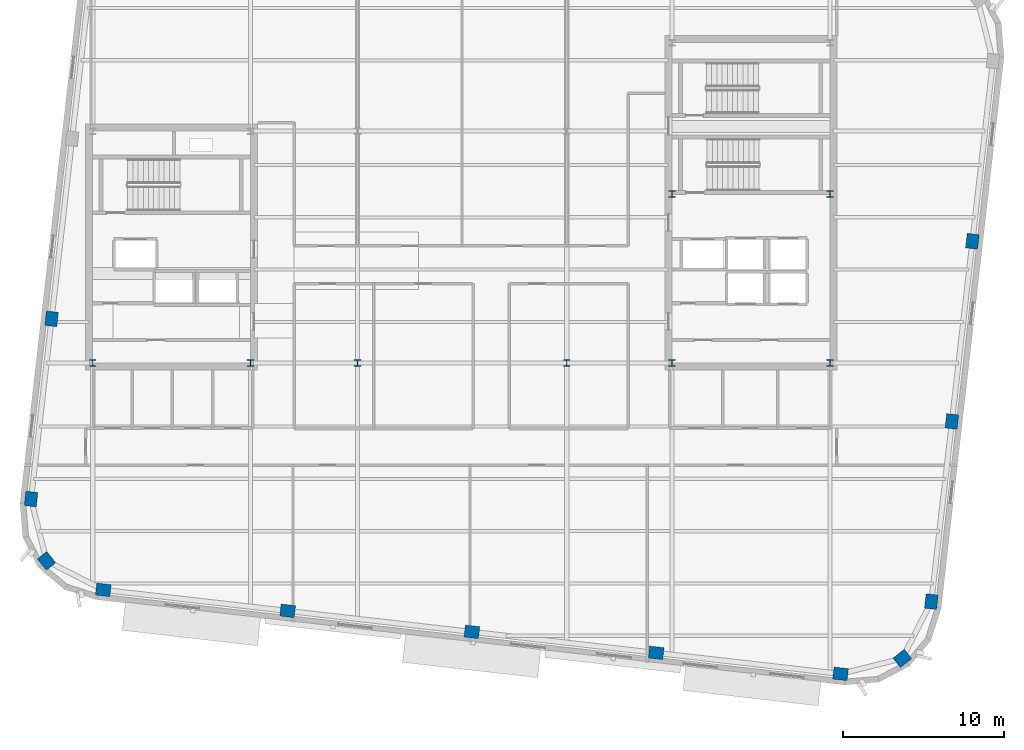
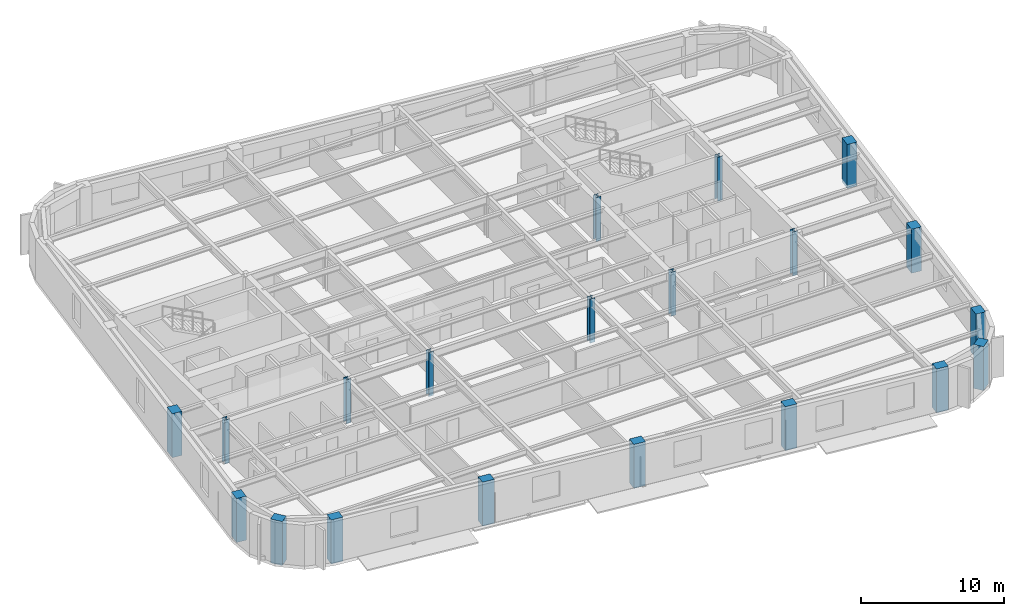
# One storey, part 1 of 14: 20 columns.
"""IFC4 building model written with IfcOpenShell, lengths in metres."""

from ifc_helpers import new_model, si_unit, direction, frame, origin, origin_2d, place, context, subcontext, project, spatial, rectangle, i_section, extrude, material, material_profile, profile_set, type_object, element, save


model = new_model("IFC4")

# Units and contexts
model_context = context("Model", 3, precision=1e-05, world=origin(), true_north=direction((0.0, 1.0)))
body_context = subcontext(model_context, "Body", "Model", "MODEL_VIEW")
ifc_project = project(units=[si_unit("LENGTHUNIT", "METRE"), si_unit("AREAUNIT", "SQUARE_METRE"), si_unit("VOLUMEUNIT", "CUBIC_METRE"), si_unit("PLANEANGLEUNIT", "RADIAN"), si_unit("MASSUNIT", "GRAM", prefix="KILO")], contexts=[model_context])

# Site, building, storey
site_placement = place(None, origin())
site = spatial("IfcSite", under=ifc_project, at=site_placement, CompositionType="ELEMENT")
building_placement = place(site_placement, origin())
building = spatial("IfcBuilding", under=site, at=building_placement, Name="Kolvaren Arena Tower", CompositionType="ELEMENT")
storey_placement = place(building_placement, frame((0.0, 0.0, 224.699951171875)))
storey = spatial("IfcBuildingStorey", under=building, at=storey_placement, Name="L54", CompositionType="ELEMENT", Elevation=224.699951171875)

# Columns
ifc_material_1 = material(Name="Precast concrete C55/67", Category="concrete")
ifc_material_profile_1 = material_profile(ifc_material_1, rectangle(XDim=0.89990234375, YDim=0.75, at=origin_2d()), Name="RC-900x750")
ifc_profile_set_1 = profile_set([ifc_material_profile_1], Name="Precast concrete C55/67")
column_type_1 = type_object("IfcColumnType", Name="EXCOL-Z4", PredefinedType="COLUMN", material=ifc_profile_set_1)
for number, where, z_axis, x_axis, name in (
    (1, (15.207763671875, 5.350830078125, -0.27001953125), (0.0, 0.0, 1.0), (0.993571855677, -0.113203213768, 0.0), "Exoskeleton Perimeter Column 01 (L54)"),
    (2, (26.65869140625, 4.046142578125, -0.27001953125), (0.0, 0.0, 1.0), (0.993571855677, -0.113203213768, 0.0), "Exoskeleton Perimeter Column 02 (L54)"),
    (3, (38.109619140625, 2.741455078125, -0.27001953125), (0.0, 0.0, 1.0), (0.993571855677, -0.113203213768, 0.0), "Exoskeleton Perimeter Column 03 (L54)"),
    (4, (49.560302734375, 1.436767578125, -0.27001953125), (0.0, 0.0, 1.0), (0.993571855677, -0.113203213768, 0.0), "Exoskeleton Perimeter Column 04 (L54)"),
    (5, (61.011474609375, 0.132080078125, -0.27001953125), (0.0, 0.0, 1.0), (0.993571855677, -0.113203213768, 0.0), "Exoskeleton Perimeter Column 05 (L54)"),
    (6, (64.853759765625, 1.094482421875, -0.27001953125), (0.0, 0.0, 1.0), (0.782608156852, 0.622514636638, 0.0), "Exoskeleton Perimeter Column 06 (L54)"),
    (7, (66.656005859375, 4.6220703125, -0.27001953125), (0.0, 0.0, 1.0), (0.113203213768, 0.993571855677, 0.0), "Exoskeleton Perimeter Column 07 (L54)"),
    (8, (67.931396484375, 15.816162109375, -0.27001953125), (0.0, 0.0, 1.0), (0.113203213768, 0.993571855677, 0.0), "Exoskeleton Perimeter Column 08 (L54)"),
    (9, (69.206787109375, 27.010498046875, -0.27001953125), (0.0, 0.0, 1.0), (0.113203213768, 0.993571855677, 0.0), "Exoskeleton Perimeter Column 09 (L54)"),
    (10, (11.9931640625, 22.189453125, -0.27001953125), (0.0, 0.0, 1.0), (0.113203213768, 0.993571855677, 0.0), "Exoskeleton Perimeter Column 20 (L54)"),
    (11, (10.7177734375, 10.995361328125, -0.27001953125), (0.0, 0.0, 1.0), (0.113203213768, 0.993571855677, 0.0), "Exoskeleton Perimeter Column 21 (L54)"),
    (12, (11.680419921875, 7.15283203125, -0.27001953125), (0.0, 0.0, 1.0), (-0.622514636638, 0.782608156852, 0.0), "Exoskeleton Perimeter Column 22 (L54)"),
):
    element("IfcColumn", number, at=place(storey_placement, frame(where, z_axis=z_axis, x_axis=x_axis)), inside=storey, type_object=column_type_1, Name=name, PredefinedType="COLUMN", context=body_context, shape_type="SweptSolid", body=[
        extrude(rectangle(XDim=0.89990234375, YDim=0.75, at=origin_2d()), origin(), (0.0, 0.0, 1.0), 3.75),
    ])
ifc_material_2 = material(Name="Steel ASTM A913 Grade 65", Category="steel")
ifc_material_profile_2 = material_profile(ifc_material_2, i_section(OverallWidth=0.39892578125, OverallDepth=0.39306640625, WebThickness=0.022705078125, FlangeThickness=0.03662109375, FilletRadius=0.02001953125, at=origin_2d()), Name="W360x287")
ifc_profile_set_2 = profile_set([ifc_material_profile_2], Name="Steel ASTM A913 Grade 65")
column_type_2 = type_object("IfcColumnType", Name="SCOL-Z4", PredefinedType="COLUMN", material=ifc_profile_set_2)
for number, where, z_axis, x_axis, name in (
    (13, (14.550048828125, 19.449951171875, -0.27001953125), (0.0, 0.0, 1.0), (1.0, 0.0, 0.0), "Core Boundary Column WC-SW (L54)"),
    (14, (24.35009765625, 19.449951171875, -0.27001953125), (0.0, 0.0, 1.0), (1.0, 0.0, 0.0), "Core Boundary Column WC-SE (L54)"),
    (15, (50.550048828125, 19.449951171875, -0.27001953125), (0.0, 0.0, 1.0), (1.0, 0.0, 0.0), "Core Boundary Column EC-SW (L54)"),
    (16, (60.35009765625, 19.449951171875, -0.27001953125), (0.0, 0.0, 1.0), (1.0, 0.0, 0.0), "Core Boundary Column EC-SE (L54)"),
    (17, (50.550048828125, 29.949951171875, -0.27001953125), (0.0, 0.0, 1.0), (1.0, 0.0, 0.0), "Core Boundary Column EC-MW (L54)"),
    (18, (60.35009765625, 29.949951171875, -0.27001953125), (0.0, 0.0, 1.0), (1.0, 0.0, 0.0), "Core Boundary Column EC-ME (L54)"),
    (19, (31.0, 19.449951171875, -0.27001953125), (0.0, 0.0, 1.0), (1.0, 0.0, 0.0), "Interior Gravity Column TC-SW (L54)"),
    (20, (44.0, 19.449951171875, -0.27001953125), (0.0, 0.0, 1.0), (1.0, 0.0, 0.0), "Interior Gravity Column TC-SE (L54)"),
):
    element("IfcColumn", number, at=place(storey_placement, frame(where, z_axis=z_axis, x_axis=x_axis)), inside=storey, type_object=column_type_2, Name=name, PredefinedType="COLUMN", context=body_context, shape_type="SweptSolid", body=[
        extrude(i_section(OverallWidth=0.39892578125, OverallDepth=0.39306640625, WebThickness=0.022705078125, FlangeThickness=0.03662109375, FilletRadius=0.02001953125, at=origin_2d()), origin(), (0.0, 0.0, 1.0), 3.75),
    ])

save(model, "model.ifc")
